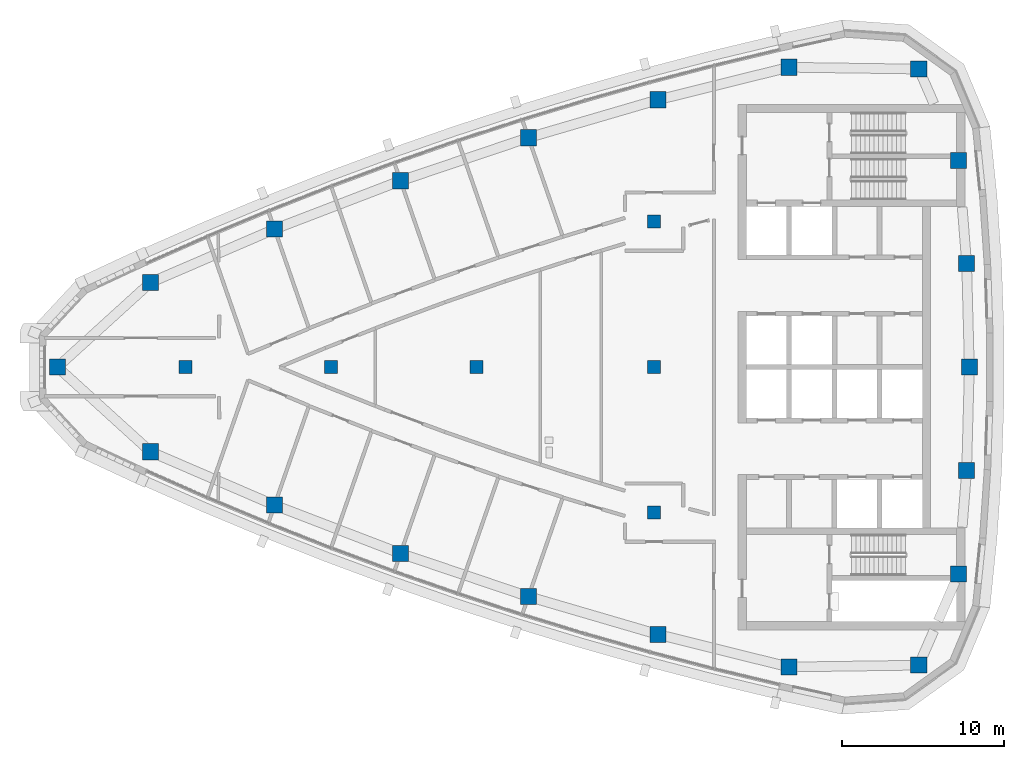
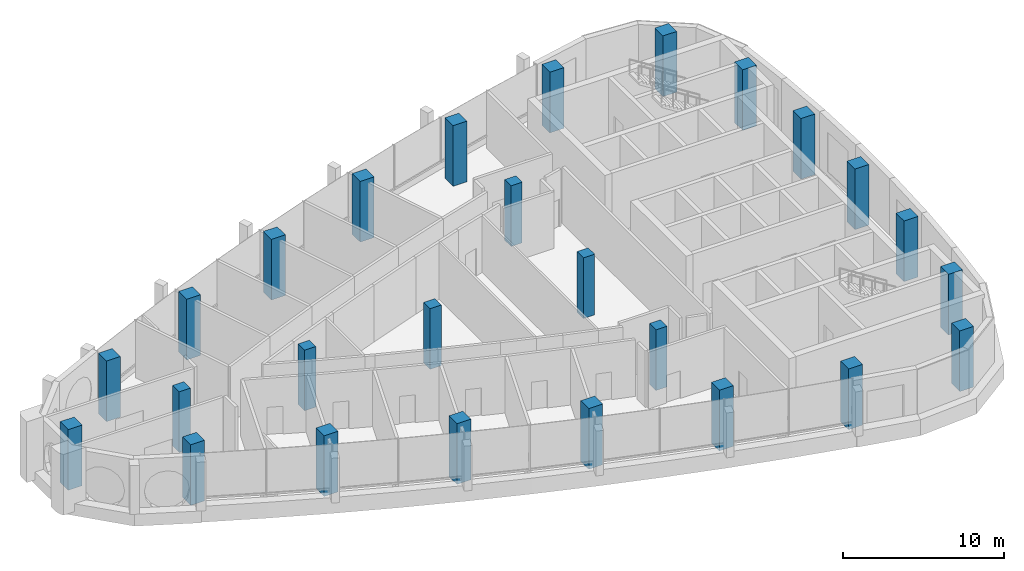
# One storey, part 1 of 15: 26 columns.
"""IFC4 building model written with IfcOpenShell, lengths in metres."""

from ifc_helpers import new_model, si_unit, direction, frame, origin, origin_2d, place, context, subcontext, project, spatial, rectangle, extrude, material, material_profile, profile_set, type_object, element, save


model = new_model("IFC4")

# Units and contexts
model_context = context("Model", 3, precision=1e-05, world=origin(), true_north=direction((0.0, 1.0)))
body_context = subcontext(model_context, "Body", "Model", "MODEL_VIEW")
ifc_project = project(units=[si_unit("LENGTHUNIT", "METRE"), si_unit("AREAUNIT", "SQUARE_METRE"), si_unit("VOLUMEUNIT", "CUBIC_METRE"), si_unit("PLANEANGLEUNIT", "RADIAN"), si_unit("MASSUNIT", "GRAM", prefix="KILO")], contexts=[model_context])

# Site, building, storey
site_placement = place(None, origin())
site = spatial("IfcSite", under=ifc_project, at=site_placement, CompositionType="ELEMENT")
building_placement = place(site_placement, origin())
building = spatial("IfcBuilding", under=site, at=building_placement, Name="Ostrand Prow Hotel Tower", CompositionType="ELEMENT")
storey_placement = place(building_placement, frame((0.0, 0.0, 308.60009765625)))
storey = spatial("IfcBuildingStorey", under=building, at=storey_placement, Name="C1", CompositionType="ELEMENT", Elevation=308.60009765625)

# Columns
ifc_material_1 = material(Name="Concrete C40/50", Category="concrete")
ifc_material_profile_1 = material_profile(ifc_material_1, rectangle(XDim=0.800048828125, YDim=0.800048828125, at=origin_2d()), Name="RC 800x800")
ifc_profile_set_1 = profile_set([ifc_material_profile_1], Name="Concrete C40/50")
column_type_1 = type_object("IfcColumnType", Name="Interior column 800x800 C40/50", PredefinedType="COLUMN", material=ifc_profile_set_1)
for number, where, z_axis, x_axis, name in (
    (1, (16.0, 0.0, 0.0), (0.0, 0.0, 1.0), (1.0, 0.0, 0.0), "Interior column 16C0"),
    (2, (25.0, 0.0, 0.0), (0.0, 0.0, 1.0), (1.0, 0.0, 0.0), "Interior column 25C0"),
    (3, (34.0, 0.0, 0.0), (0.0, 0.0, 1.0), (1.0, 0.0, 0.0), "Interior column 34C0"),
    (4, (45.0, -9.0, 0.0), (0.0, 0.0, 1.0), (1.0, 0.0, 0.0), "Interior column 45S9"),
    (5, (45.0, 0.0, 0.0), (0.0, 0.0, 1.0), (1.0, 0.0, 0.0), "Interior column 45C0"),
    (6, (45.0, 9.0, 0.0), (0.0, 0.0, 1.0), (1.0, 0.0, 0.0), "Interior column 45N9"),
):
    element("IfcColumn", number, at=place(storey_placement, frame(where, z_axis=z_axis, x_axis=x_axis)), inside=storey, type_object=column_type_1, Name=name, PredefinedType="COLUMN", context=body_context, shape_type="SweptSolid", body=[
        extrude(rectangle(XDim=0.800048828125, YDim=0.800048828125, at=origin_2d()), origin(), (0.0, 0.0, 1.0), 4.599853515625),
    ])
ifc_material_2 = material(Name="Concrete C40/50", Category="concrete")
ifc_material_profile_2 = material_profile(ifc_material_2, rectangle(XDim=1.0, YDim=1.0, at=origin_2d()), Name="RC 1000x1000")
ifc_profile_set_2 = profile_set([ifc_material_profile_2], Name="Concrete C40/50")
column_type_2 = type_object("IfcColumnType", Name="Stone-faced mega column 1000x1000 C40/50", PredefinedType="COLUMN", material=ifc_profile_set_2)
for number, where, z_axis, x_axis, name in (
    (7, (8.082763671875, 0.0, 0.0), (0.0, 0.0, 1.0), (1.0, 0.0, 0.0), "Mega column P"),
    (8, (13.846435546875, -5.23681640625, 0.0), (0.0, 0.0, 1.0), (1.0, 0.0, 0.0), "Mega column S1"),
    (9, (21.51416015625, -8.5400390625, 0.0), (0.0, 0.0, 1.0), (1.0, 0.0, 0.0), "Mega column S2"),
    (10, (29.31005859375, -11.528076171875, 0.0), (0.0, 0.0, 1.0), (1.0, 0.0, 0.0), "Mega column S3"),
    (11, (37.22119140625, -14.19580078125, 0.0), (0.0, 0.0, 1.0), (1.0, 0.0, 0.0), "Mega column S4"),
    (12, (45.234619140625, -16.53857421875, 0.0), (0.0, 0.0, 1.0), (1.0, 0.0, 0.0), "Mega column S5"),
    (13, (53.3369140625, -18.552978515625, 0.0), (0.0, 0.0, 1.0), (1.0, 0.0, 0.0), "Mega column S6"),
    (14, (61.374267578125, -18.439697265625, 0.0), (0.0, 0.0, 1.0), (1.0, 0.0, 0.0), "Mega column SE"),
    (15, (63.831787109375, -12.7890625, 0.0), (0.0, 0.0, 1.0), (1.0, 0.0, 0.0), "Mega column B1"),
    (16, (64.332763671875, -6.4033203125, 0.0), (0.0, 0.0, 1.0), (1.0, 0.0, 0.0), "Mega column B2"),
    (17, (64.5, 0.0, 0.0), (0.0, 0.0, 1.0), (1.0, 0.0, 0.0), "Mega column B3"),
    (18, (64.332763671875, 6.4033203125, 0.0), (0.0, 0.0, 1.0), (1.0, 0.0, 0.0), "Mega column B4"),
    (19, (63.831787109375, 12.7890625, 0.0), (0.0, 0.0, 1.0), (1.0, 0.0, 0.0), "Mega column B5"),
    (20, (61.374267578125, 18.439697265625, 0.0), (0.0, 0.0, 1.0), (1.0, 0.0, 0.0), "Mega column NE"),
    (21, (53.3369140625, 18.552978515625, 0.0), (0.0, 0.0, 1.0), (1.0, 0.0, 0.0), "Mega column N1"),
    (22, (45.234619140625, 16.53857421875, 0.0), (0.0, 0.0, 1.0), (1.0, 0.0, 0.0), "Mega column N2"),
    (23, (37.22119140625, 14.19580078125, 0.0), (0.0, 0.0, 1.0), (1.0, 0.0, 0.0), "Mega column N3"),
    (24, (29.31005859375, 11.528076171875, 0.0), (0.0, 0.0, 1.0), (1.0, 0.0, 0.0), "Mega column N4"),
    (25, (21.51416015625, 8.5400390625, 0.0), (0.0, 0.0, 1.0), (1.0, 0.0, 0.0), "Mega column N5"),
    (26, (13.846435546875, 5.23681640625, 0.0), (0.0, 0.0, 1.0), (1.0, 0.0, 0.0), "Mega column N6"),
):
    element("IfcColumn", number, at=place(storey_placement, frame(where, z_axis=z_axis, x_axis=x_axis)), inside=storey, type_object=column_type_2, Name=name, PredefinedType="COLUMN", context=body_context, shape_type="SweptSolid", body=[
        extrude(rectangle(XDim=1.0, YDim=1.0, at=origin_2d()), origin(), (0.0, 0.0, 1.0), 4.599853515625),
    ])

save(model, "model.ifc")
